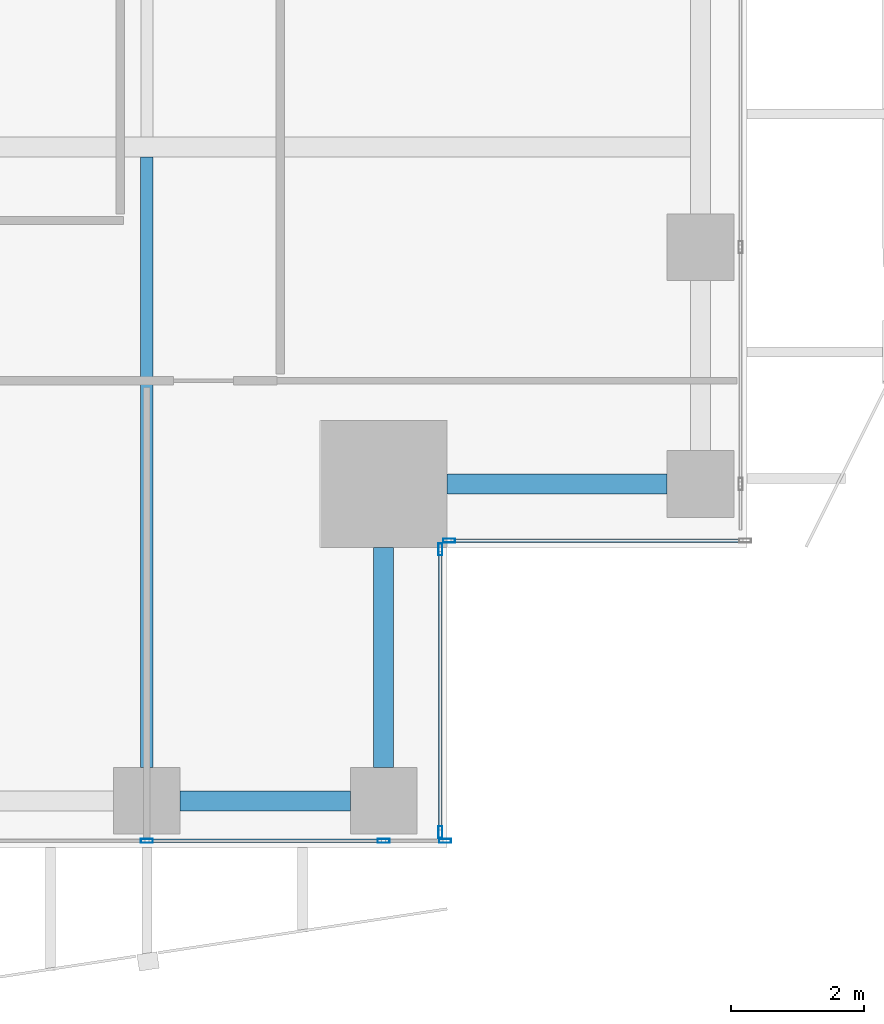
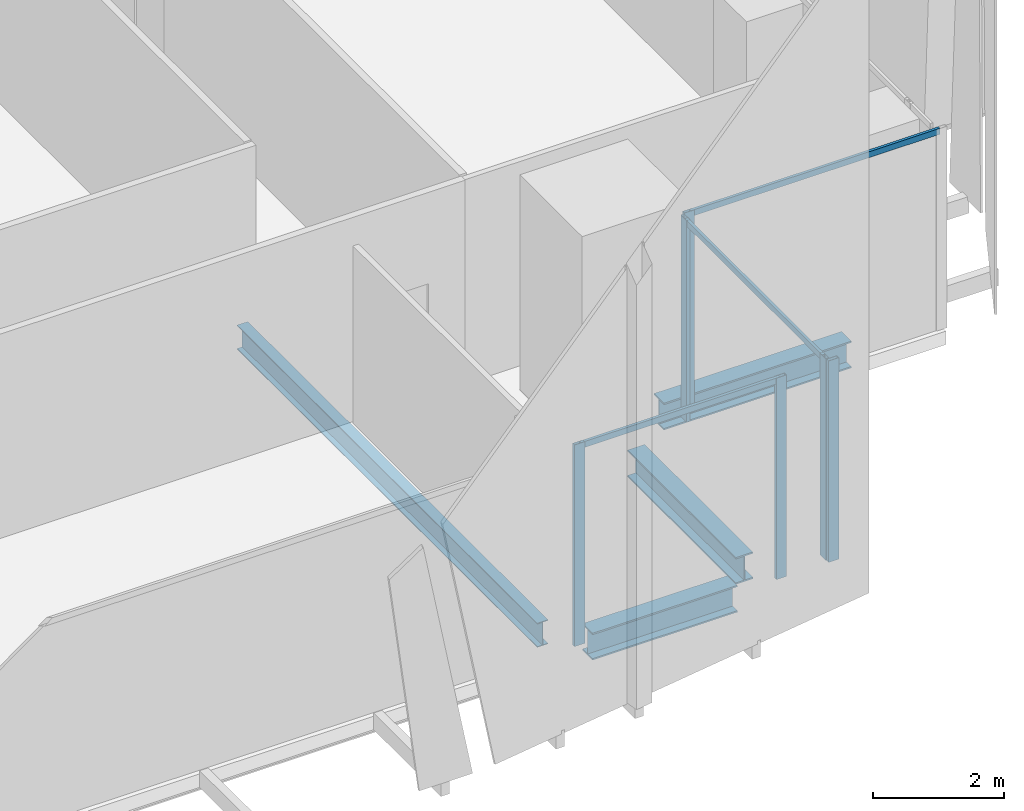
# One storey, part 9 of 35: 9 members, 4 beams, 3 elements without a shape of their own.
"""IFC4 building model written with IfcOpenShell, lengths in metres."""

from ifc_helpers import new_model, si_unit, direction, frame, origin, origin_2d, place, context, subcontext, project, spatial, hollow_rectangle, i_section, extrude, source, transform, mapped, material, material_profile, profile_set, type_object, element, aggregate, save


model = new_model("IFC4")

# Units and contexts
model_context = context("Model", 3, precision=1e-05, world=origin(), true_north=direction((0.0, 1.0)))
body_context = subcontext(model_context, "Body", "Model", "MODEL_VIEW")
ifc_project = project(units=[si_unit("LENGTHUNIT", "METRE"), si_unit("AREAUNIT", "SQUARE_METRE"), si_unit("VOLUMEUNIT", "CUBIC_METRE"), si_unit("PLANEANGLEUNIT", "RADIAN"), si_unit("MASSUNIT", "GRAM", prefix="KILO")], contexts=[model_context])

# Site, building, storey
site_placement = place(None, origin())
site = spatial("IfcSite", under=ifc_project, at=site_placement, CompositionType="ELEMENT")
building_placement = place(site_placement, origin())
building = spatial("IfcBuilding", under=site, at=building_placement, Name="Khomas Fold Tower", CompositionType="ELEMENT")
storey_placement = place(building_placement, frame((0.0, 0.0, 200.699951171875)))
storey = spatial("IfcBuildingStorey", under=building, at=storey_placement, Name="L44", CompositionType="ELEMENT", Elevation=200.699951171875)

# Beams
ifc_material_1 = material(Name="Steel S355", Category="steel")
ifc_material_profile_1 = material_profile(ifc_material_1, i_section(OverallWidth=0.300048828125, OverallDepth=0.5, WebThickness=0.014404296875, FlangeThickness=0.028076171875, at=origin_2d()), Name="HE 500 B")
ifc_profile_set_1 = profile_set([ifc_material_profile_1], Name="Steel S355")
beam_type_1 = type_object("IfcBeamType", Name="HE 500 B spandrel SB3", PredefinedType="SPANDREL", material=ifc_profile_set_1)
shared_shape_1 = source(origin(), body_context, "Body", "SweptSolid", [
    extrude(i_section(OverallWidth=0.300048828125, OverallDepth=0.5, WebThickness=0.014404296875, FlangeThickness=0.028076171875, at=origin_2d()), origin(), (0.0, 0.0, 1.0), 2.550048828125),
])
beam_1_placement = place(storey_placement, frame((42.5, 3.699951171875, -0.5), z_axis=(1.0, 0.0, 0.0), x_axis=(0.0, 1.0, 0.0)))
element("IfcBeam", 1, at=beam_1_placement, inside=storey, type_object=beam_type_1, Name="SB3", PredefinedType="SPANDREL", context=body_context, shape_type="MappedRepresentation", body=[
    mapped(shared_shape_1, transform((0.0, 0.0, 0.0))),
])
shared_shape_2 = source(origin(), body_context, "Body", "SweptSolid", [
    extrude(i_section(OverallWidth=0.300048828125, OverallDepth=0.5, WebThickness=0.014404296875, FlangeThickness=0.028076171875, at=origin_2d()), origin(), (0.0, 0.0, 1.0), 3.300048828125),
])
for number, where, z_axis, x_axis, name in (
    (2, (45.550048828125, 4.199951171875, -0.5), (0.0, 1.0, 0.0), (-1.0, 0.0, 0.0), "SB3"),
    (3, (46.5, 8.449951171875, -0.5), (1.0, 0.0, 0.0), (0.0, 1.0, 0.0), "SB3"),
):
    element("IfcBeam", number, at=place(storey_placement, frame(where, z_axis=z_axis, x_axis=x_axis)), inside=storey, type_object=beam_type_1, Name=name, PredefinedType="SPANDREL", context=body_context, shape_type="MappedRepresentation", body=[
        mapped(shared_shape_2, transform((0.0, 0.0, 0.0))),
    ])
ifc_material_2 = material(Name="Steel S355", Category="steel")
ifc_material_profile_2 = material_profile(ifc_material_2, i_section(OverallWidth=0.18994140625, OverallDepth=0.449951171875, WebThickness=0.009521484375, FlangeThickness=0.0146484375, at=origin_2d()), Name="IPE 450")
ifc_profile_set_2 = profile_set([ifc_material_profile_2], Name="Steel S355")
beam_type_2 = type_object("IfcBeamType", Name="IPE 450 beam JB4", PredefinedType="BEAM", material=ifc_profile_set_2)
shared_shape_3 = source(origin(), body_context, "Body", "SweptSolid", [
    extrude(i_section(OverallWidth=0.18994140625, OverallDepth=0.449951171875, WebThickness=0.009521484375, FlangeThickness=0.0146484375, at=origin_2d()), origin(), (0.0, 0.0, 1.0), 9.150146484375),
])
beam_2_placement = place(storey_placement, frame((42.0, 4.199951171875, -0.474853515625), z_axis=(0.0, 1.0, 0.0), x_axis=(-1.0, 0.0, 0.0)))
element("IfcBeam", 4, at=beam_2_placement, inside=storey, type_object=beam_type_2, Name="JB4", PredefinedType="BEAM", context=body_context, shape_type="MappedRepresentation", body=[
    mapped(shared_shape_3, transform((0.0, 0.0, 0.0))),
])

# Curtain wall, members
ifc_material_3 = material(Name="Aluminium framed double glazing", Category="aluminium")
curtain_wall_type = type_object("IfcCurtainWallType", Name="SK-Unitised clear-glass wall, office floors CW2", PredefinedType="NOTDEFINED", material=ifc_material_3)
curtain_wall_1_placement = place(storey_placement, origin())
curtain_wall_1 = element("IfcCurtainWall", 5, at=curtain_wall_1_placement, inside=storey, type_object=curtain_wall_type, Name="CW2 run L44 00-0", PredefinedType="NOTDEFINED")
ifc_material_4 = material(Name="Aluminium", Category="aluminium")
ifc_material_profile_3 = material_profile(ifc_material_4, hollow_rectangle(XDim=0.06005859375, YDim=0.179931640625, WallThickness=0.00390625, at=origin_2d()), Name="SK-Unitised clear-glass wall, office floors mullion CW2-M")
ifc_profile_set_3 = profile_set([ifc_material_profile_3], Name="Aluminium")
member_type_1 = type_object("IfcMemberType", Name="SK-Unitised clear-glass wall, office floors mullion CW2-M", PredefinedType="MULLION", material=ifc_profile_set_3)
shared_shape_4 = source(origin(), body_context, "Body", "SweptSolid", [
    extrude(hollow_rectangle(XDim=0.06005859375, YDim=0.179931640625, WallThickness=0.00390625, at=origin_2d()), origin(), (0.0, 0.0, 1.0), 3.75),
])
member_1_placement = place(storey_placement, frame((42.0, 3.10009765625, 0.0), z_axis=(0.0, 0.0, 1.0), x_axis=(0.0, 1.0, 0.0)))
member_1 = element("IfcMember", 6, at=member_1_placement, type_object=member_type_1, Name="CW2 mullion 5", PredefinedType="MULLION", context=body_context, shape_type="MappedRepresentation", body=[
    mapped(shared_shape_4, transform((0.0, 0.0, 0.0))),
])
member_2_placement = place(storey_placement, frame((45.550048828125, 3.10009765625, 0.0), z_axis=(0.0, 0.0, 1.0), x_axis=(0.0, 1.0, 0.0)))
member_2 = element("IfcMember", 7, at=member_2_placement, type_object=member_type_1, Name="CW2 mullion 6", PredefinedType="MULLION", context=body_context, shape_type="MappedRepresentation", body=[
    mapped(shared_shape_4, transform((0.0, 0.0, 0.0))),
])
member_3_placement = place(storey_placement, frame((46.469970703125, 3.10009765625, 0.0), z_axis=(0.0, 0.0, 1.0), x_axis=(0.0, 1.0, 0.0)))
member_3 = element("IfcMember", 8, at=member_3_placement, type_object=member_type_1, Name="CW2 mullion 7", PredefinedType="MULLION", context=body_context, shape_type="MappedRepresentation", body=[
    mapped(shared_shape_4, transform((0.0, 0.0, 0.0))),
])

curtain_wall_2_placement = place(storey_placement, origin())
curtain_wall_2 = element("IfcCurtainWall", 9, at=curtain_wall_2_placement, inside=storey, type_object=curtain_wall_type, Name="CW2 corner return L44 01", PredefinedType="NOTDEFINED")
member_4_placement = place(storey_placement, frame((46.39990234375, 3.22998046875, 0.0), z_axis=(0.0, 0.0, 1.0), x_axis=(-1.0, 0.0, 0.0)))
member_4 = element("IfcMember", 10, at=member_4_placement, type_object=member_type_1, Name="CW2 mullion 1", PredefinedType="MULLION", context=body_context, shape_type="MappedRepresentation", body=[
    mapped(shared_shape_4, transform((0.0, 0.0, 0.0))),
])
member_5_placement = place(storey_placement, frame((46.39990234375, 7.469970703125, 0.0), z_axis=(0.0, 0.0, 1.0), x_axis=(-1.0, 0.0, 0.0)))
member_5 = element("IfcMember", 11, at=member_5_placement, type_object=member_type_1, Name="CW2 mullion 2", PredefinedType="MULLION", context=body_context, shape_type="MappedRepresentation", body=[
    mapped(shared_shape_4, transform((0.0, 0.0, 0.0))),
])

curtain_wall_3_placement = place(storey_placement, origin())
curtain_wall_3 = element("IfcCurtainWall", 12, at=curtain_wall_3_placement, inside=storey, type_object=curtain_wall_type, Name="CW2 corner return L44 02", PredefinedType="NOTDEFINED")
member_6_placement = place(storey_placement, frame((46.530029296875, 7.60009765625, 0.0), z_axis=(0.0, 0.0, 1.0), x_axis=(0.0, 1.0, 0.0)))
member_6 = element("IfcMember", 13, at=member_6_placement, type_object=member_type_1, Name="CW2 mullion 1", PredefinedType="MULLION", context=body_context, shape_type="MappedRepresentation", body=[
    mapped(shared_shape_4, transform((0.0, 0.0, 0.0))),
])
ifc_material_5 = material(Name="Aluminium", Category="aluminium")
ifc_material_profile_4 = material_profile(ifc_material_5, hollow_rectangle(XDim=0.050048828125, YDim=0.110107421875, WallThickness=0.00390625, at=origin_2d()), Name="SK-Unitised clear-glass wall, office floors transom CW2-T")
ifc_profile_set_4 = profile_set([ifc_material_profile_4], Name="Aluminium")
member_type_2 = type_object("IfcMemberType", Name="SK-Unitised clear-glass wall, office floors transom CW2-T", PredefinedType="USERDEFINED", material=ifc_profile_set_4)
shared_shape_5 = source(origin(), body_context, "Body", "SweptSolid", [
    extrude(hollow_rectangle(XDim=0.050048828125, YDim=0.110107421875, WallThickness=0.00390625, at=origin_2d()), origin(), (0.0, 0.0, 1.0), 4.3798828125),
])
member_7_placement = place(storey_placement, frame((46.56005859375, 7.60009765625, 3.695068359375), z_axis=(1.0, 0.0, 0.0), x_axis=(0.0, 1.0, 0.0)))
member_7 = element("IfcMember", 14, at=member_7_placement, type_object=member_type_2, Name="CW2 transom 1", ObjectType="TRANSOM", PredefinedType="USERDEFINED", context=body_context, shape_type="MappedRepresentation", body=[
    mapped(shared_shape_5, transform((0.0, 0.0, 0.0))),
])
aggregate(curtain_wall_3, [member_6, member_7])

# Member
shared_shape_6 = source(origin(), body_context, "Body", "SweptSolid", [
    extrude(hollow_rectangle(XDim=0.050048828125, YDim=0.110107421875, WallThickness=0.00390625, at=origin_2d()), origin(), (0.0, 0.0, 1.0), 3.489990234375),
])
member_8_placement = place(storey_placement, frame((42.030029296875, 3.10009765625, 3.695068359375), z_axis=(1.0, 0.0, 0.0), x_axis=(0.0, 1.0, 0.0)))
member_8 = element("IfcMember", 15, at=member_8_placement, type_object=member_type_2, Name="CW2 transom 5", ObjectType="TRANSOM", PredefinedType="USERDEFINED", context=body_context, shape_type="MappedRepresentation", body=[
    mapped(shared_shape_6, transform((0.0, 0.0, 0.0))),
])

aggregate(curtain_wall_1, [member_1, member_2, member_3, member_8])

shared_shape_7 = source(origin(), body_context, "Body", "SweptSolid", [
    extrude(hollow_rectangle(XDim=0.050048828125, YDim=0.110107421875, WallThickness=0.00390625, at=origin_2d()), origin(), (0.0, 0.0, 1.0), 4.179931640625),
])
member_9_placement = place(storey_placement, frame((46.39990234375, 3.260009765625, 3.695068359375), z_axis=(0.0, 1.0, 0.0), x_axis=(-1.0, 0.0, 0.0)))
member_9 = element("IfcMember", 16, at=member_9_placement, type_object=member_type_2, Name="CW2 transom 1", ObjectType="TRANSOM", PredefinedType="USERDEFINED", context=body_context, shape_type="MappedRepresentation", body=[
    mapped(shared_shape_7, transform((0.0, 0.0, 0.0))),
])

aggregate(curtain_wall_2, [member_4, member_5, member_9])

save(model, "model.ifc")
